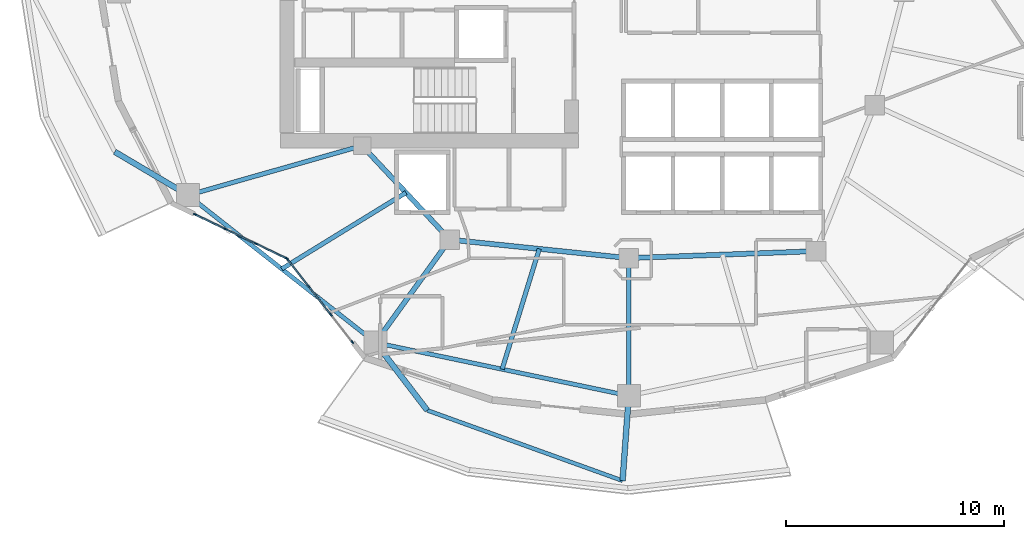
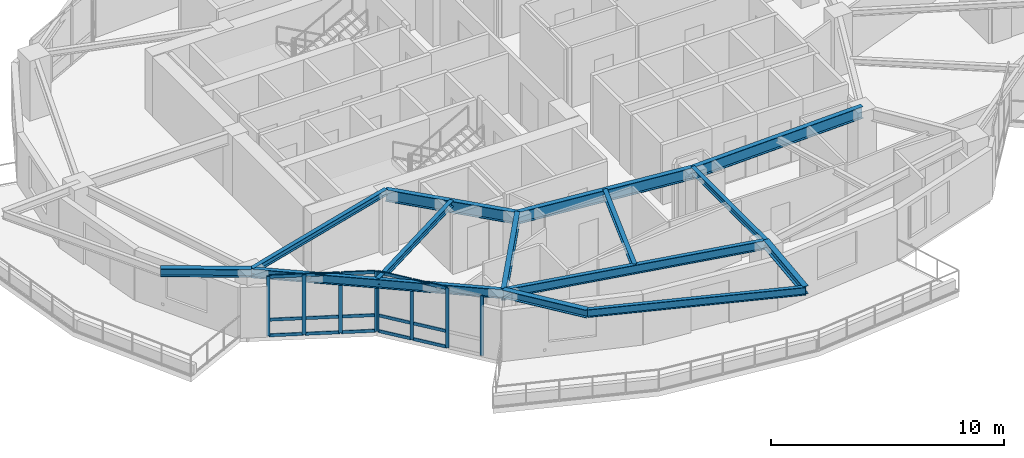
# One storey, part 2 of 18: 23 members, 14 beams, 2 elements without a shape of their own.
"""IFC4 building model written with IfcOpenShell, lengths in metres."""

from ifc_helpers import new_model, si_unit, direction, frame, origin, origin_2d, place, context, subcontext, project, spatial, rectangle, i_section, extrude, material, layer, layer_set, material_profile, profile_set, type_object, element, aggregate, save


model = new_model("IFC4")

# Units and contexts
model_context = context("Model", 3, precision=1e-05, world=origin(), true_north=direction((0.0, 1.0)))
body_context = subcontext(model_context, "Body", "Model", "MODEL_VIEW")
ifc_project = project(units=[si_unit("LENGTHUNIT", "METRE"), si_unit("AREAUNIT", "SQUARE_METRE"), si_unit("VOLUMEUNIT", "CUBIC_METRE"), si_unit("PLANEANGLEUNIT", "RADIAN"), si_unit("MASSUNIT", "GRAM", prefix="KILO")], contexts=[model_context])

# Site, building, storey
site_placement = place(None, origin())
site = spatial("IfcSite", under=ifc_project, at=site_placement, CompositionType="ELEMENT")
building_placement = place(site_placement, origin())
building = spatial("IfcBuilding", under=site, at=building_placement, Name="Kolvaren Gate Tower and Convention Centre", CompositionType="ELEMENT")
storey_placement = place(building_placement, frame((0.0, 0.0, 108.699951171875)))
storey = spatial("IfcBuildingStorey", under=building, at=storey_placement, Name="L26", CompositionType="ELEMENT", Elevation=108.699951171875)

# Curtain wall, members
ifc_material_1 = material(Name="Anodized Architectural Aluminium Alloy 6063-T6", Category="aluminium")
ifc_layer = layer(ifc_material_1, 0.159912109375)
ifc_layer_set = layer_set([ifc_layer], Name="Anodized Architectural Aluminium Alloy 6063-T6")
curtain_wall_type = type_object("IfcCurtainWallType", Name="CW-HTL-UNIT", PredefinedType="NOTDEFINED", material=ifc_layer_set)
curtain_wall_1_placement = place(storey_placement, origin())
curtain_wall_1 = element("IfcCurtainWall", 1, at=curtain_wall_1_placement, inside=storey, type_object=curtain_wall_type, Name="Tower L26 Unitised Curtain Wall CW-HTL-UNIT Bay 14", PredefinedType="NOTDEFINED")
ifc_material_profile_1 = material_profile(ifc_material_1, rectangle(XDim=0.06494140625, YDim=0.159912109375, at=origin_2d()), Name="CW-MEM-MUL-160")
ifc_profile_set_1 = profile_set([ifc_material_profile_1], Name="Anodized Architectural Aluminium Alloy 6063-T6")
member_type_1 = type_object("IfcMemberType", Name="CW-MEM-MUL-160", PredefinedType="MULLION", material=ifc_profile_set_1)
member_1_placement = place(storey_placement, frame((10.271728515625, 16.799560546875, 0.0), z_axis=(0.0, 0.0, 1.0), x_axis=(0.43307254033, 0.901359070966, 0.0)))
member_1 = element("IfcMember", 2, at=member_1_placement, type_object=member_type_1, Name="CW-03 mullion 1", PredefinedType="MULLION", context=body_context, shape_type="SweptSolid", body=[
    extrude(rectangle(XDim=0.06494140625, YDim=0.159912109375, at=origin_2d()), origin(), (0.0, 0.0, 1.0), 3.130126953125),
])
member_2_placement = place(storey_placement, frame((11.655517578125, 16.134765625, 0.0), z_axis=(0.0, 0.0, 1.0), x_axis=(0.43307254033, 0.901359070966, 0.0)))
member_2 = element("IfcMember", 3, at=member_2_placement, type_object=member_type_1, Name="CW-03 mullion 2", PredefinedType="MULLION", context=body_context, shape_type="SweptSolid", body=[
    extrude(rectangle(XDim=0.06494140625, YDim=0.159912109375, at=origin_2d()), origin(), (0.0, 0.0, 1.0), 3.130126953125),
])
member_3_placement = place(storey_placement, frame((13.068359375, 15.455810546875, 0.0), z_axis=(0.0, 0.0, 1.0), x_axis=(0.43307254033, 0.901359070966, 0.0)))
member_3 = element("IfcMember", 4, at=member_3_placement, type_object=member_type_1, Name="CW-03 mullion 3", PredefinedType="MULLION", context=body_context, shape_type="SweptSolid", body=[
    extrude(rectangle(XDim=0.06494140625, YDim=0.159912109375, at=origin_2d()), origin(), (0.0, 0.0, 1.0), 3.130126953125),
])
member_4_placement = place(storey_placement, frame((14.451904296875, 14.791015625, 0.0), z_axis=(0.0, 0.0, 1.0), x_axis=(0.43307254033, 0.901359070966, 0.0)))
member_4 = element("IfcMember", 5, at=member_4_placement, type_object=member_type_1, Name="CW-03 mullion 4", PredefinedType="MULLION", context=body_context, shape_type="SweptSolid", body=[
    extrude(rectangle(XDim=0.06494140625, YDim=0.159912109375, at=origin_2d()), origin(), (0.0, 0.0, 1.0), 3.130126953125),
])

curtain_wall_2_placement = place(storey_placement, origin())
curtain_wall_2 = element("IfcCurtainWall", 6, at=curtain_wall_2_placement, inside=storey, type_object=curtain_wall_type, Name="Tower L26 Unitised Curtain Wall CW-HTL-UNIT Bay 15", PredefinedType="NOTDEFINED")
member_5_placement = place(storey_placement, frame((14.501220703125, 14.75146484375, 0.0), z_axis=(0.0, 0.0, 1.0), x_axis=(0.787410781966, 0.616428633699, 0.0)))
member_5 = element("IfcMember", 7, at=member_5_placement, type_object=member_type_1, Name="CW-03 mullion 1", PredefinedType="MULLION", context=body_context, shape_type="SweptSolid", body=[
    extrude(rectangle(XDim=0.06494140625, YDim=0.159912109375, at=origin_2d()), origin(), (0.0, 0.0, 1.0), 3.130126953125),
])
member_6_placement = place(storey_placement, frame((15.484619140625, 13.495361328125, 0.0), z_axis=(0.0, 0.0, 1.0), x_axis=(0.787410781966, 0.616428633699, 0.0)))
member_6 = element("IfcMember", 8, at=member_6_placement, type_object=member_type_1, Name="CW-03 mullion 2", PredefinedType="MULLION", context=body_context, shape_type="SweptSolid", body=[
    extrude(rectangle(XDim=0.06494140625, YDim=0.159912109375, at=origin_2d()), origin(), (0.0, 0.0, 1.0), 3.130126953125),
])
member_7_placement = place(storey_placement, frame((16.488037109375, 12.213623046875, 0.0), z_axis=(0.0, 0.0, 1.0), x_axis=(0.787410781966, 0.616428633699, 0.0)))
member_7 = element("IfcMember", 9, at=member_7_placement, type_object=member_type_1, Name="CW-03 mullion 3", PredefinedType="MULLION", context=body_context, shape_type="SweptSolid", body=[
    extrude(rectangle(XDim=0.06494140625, YDim=0.159912109375, at=origin_2d()), origin(), (0.0, 0.0, 1.0), 3.130126953125),
])
member_8_placement = place(storey_placement, frame((17.47119140625, 10.957763671875, 0.0), z_axis=(0.0, 0.0, 1.0), x_axis=(0.787410781966, 0.616428633699, 0.0)))
member_8 = element("IfcMember", 10, at=member_8_placement, type_object=member_type_1, Name="CW-03 mullion 4", PredefinedType="MULLION", context=body_context, shape_type="SweptSolid", body=[
    extrude(rectangle(XDim=0.06494140625, YDim=0.159912109375, at=origin_2d()), origin(), (0.0, 0.0, 1.0), 3.130126953125),
])

# Member
ifc_material_profile_2 = material_profile(ifc_material_1, rectangle(XDim=0.06494140625, YDim=0.159912109375, at=origin_2d()), Name="CW-MEM-TRN-160")
ifc_profile_set_2 = profile_set([ifc_material_profile_2], Name="Anodized Architectural Aluminium Alloy 6063-T6")
member_type_2 = type_object("IfcMemberType", Name="CW-MEM-TRN-160", PredefinedType="USERDEFINED", material=ifc_profile_set_2)
member_9_placement = place(storey_placement, frame((10.301025390625, 16.785400390625, 0.032470703125), z_axis=(0.901421966244, -0.432941611274, 0.0), x_axis=(0.432941611274, 0.901421966244, 0.0)))
member_9 = element("IfcMember", 11, at=member_9_placement, type_object=member_type_2, Name="CW-03 transom 1.1", ObjectType="TRANSOM", PredefinedType="USERDEFINED", context=body_context, shape_type="SweptSolid", body=[
    extrude(rectangle(XDim=0.06494140625, YDim=0.159912109375, at=origin_2d()), origin(), (0.0, 0.0, 1.0), 1.47021484375),
])

member_10_placement = place(storey_placement, frame((10.301025390625, 16.785400390625, 0.85009765625), z_axis=(0.901421966244, -0.432941611274, 0.0), x_axis=(0.432941611274, 0.901421966244, 0.0)))
member_10 = element("IfcMember", 12, at=member_10_placement, type_object=member_type_2, Name="CW-03 transom 1.2", ObjectType="TRANSOM", PredefinedType="USERDEFINED", context=body_context, shape_type="SweptSolid", body=[
    extrude(rectangle(XDim=0.06494140625, YDim=0.159912109375, at=origin_2d()), origin(), (0.0, 0.0, 1.0), 1.47021484375),
])

member_11_placement = place(storey_placement, frame((10.301025390625, 16.785400390625, 3.09765625), z_axis=(0.901421966244, -0.432941611274, 0.0), x_axis=(0.432941611274, 0.901421966244, 0.0)))
member_11 = element("IfcMember", 13, at=member_11_placement, type_object=member_type_2, Name="CW-03 transom 1.3", ObjectType="TRANSOM", PredefinedType="USERDEFINED", context=body_context, shape_type="SweptSolid", body=[
    extrude(rectangle(XDim=0.06494140625, YDim=0.159912109375, at=origin_2d()), origin(), (0.0, 0.0, 1.0), 1.47021484375),
])

member_12_placement = place(storey_placement, frame((11.684814453125, 16.12060546875, 0.032470703125), z_axis=(0.901368321762, -0.43305328601, 0.0), x_axis=(0.43305328601, 0.901368321762, 0.0)))
member_12 = element("IfcMember", 14, at=member_12_placement, type_object=member_type_2, Name="CW-03 transom 2.1", ObjectType="TRANSOM", PredefinedType="USERDEFINED", context=body_context, shape_type="SweptSolid", body=[
    extrude(rectangle(XDim=0.06494140625, YDim=0.159912109375, at=origin_2d()), origin(), (0.0, 0.0, 1.0), 1.50244140625),
])

member_13_placement = place(storey_placement, frame((11.684814453125, 16.12060546875, 0.85009765625), z_axis=(0.901368321762, -0.43305328601, 0.0), x_axis=(0.43305328601, 0.901368321762, 0.0)))
member_13 = element("IfcMember", 15, at=member_13_placement, type_object=member_type_2, Name="CW-03 transom 2.2", ObjectType="TRANSOM", PredefinedType="USERDEFINED", context=body_context, shape_type="SweptSolid", body=[
    extrude(rectangle(XDim=0.06494140625, YDim=0.159912109375, at=origin_2d()), origin(), (0.0, 0.0, 1.0), 1.50244140625),
])

member_14_placement = place(storey_placement, frame((11.684814453125, 16.12060546875, 3.09765625), z_axis=(0.901368321762, -0.43305328601, 0.0), x_axis=(0.43305328601, 0.901368321762, 0.0)))
member_14 = element("IfcMember", 16, at=member_14_placement, type_object=member_type_2, Name="CW-03 transom 2.3", ObjectType="TRANSOM", PredefinedType="USERDEFINED", context=body_context, shape_type="SweptSolid", body=[
    extrude(rectangle(XDim=0.06494140625, YDim=0.159912109375, at=origin_2d()), origin(), (0.0, 0.0, 1.0), 1.50244140625),
])

member_15_placement = place(storey_placement, frame((13.09765625, 15.44189453125, 0.032470703125), z_axis=(0.901325998393, -0.43314136794, 0.0), x_axis=(0.43314136794, 0.901325998393, 0.0)))
member_15 = element("IfcMember", 17, at=member_15_placement, type_object=member_type_2, Name="CW-03 transom 3.1", ObjectType="TRANSOM", PredefinedType="USERDEFINED", context=body_context, shape_type="SweptSolid", body=[
    extrude(rectangle(XDim=0.06494140625, YDim=0.159912109375, at=origin_2d()), origin(), (0.0, 0.0, 1.0), 1.469970703125),
])

member_16_placement = place(storey_placement, frame((13.09765625, 15.44189453125, 0.85009765625), z_axis=(0.901325998393, -0.43314136794, 0.0), x_axis=(0.43314136794, 0.901325998393, 0.0)))
member_16 = element("IfcMember", 18, at=member_16_placement, type_object=member_type_2, Name="CW-03 transom 3.2", ObjectType="TRANSOM", PredefinedType="USERDEFINED", context=body_context, shape_type="SweptSolid", body=[
    extrude(rectangle(XDim=0.06494140625, YDim=0.159912109375, at=origin_2d()), origin(), (0.0, 0.0, 1.0), 1.469970703125),
])

member_17_placement = place(storey_placement, frame((13.09765625, 15.44189453125, 3.09765625), z_axis=(0.901325998393, -0.43314136794, 0.0), x_axis=(0.43314136794, 0.901325998393, 0.0)))
member_17 = element("IfcMember", 19, at=member_17_placement, type_object=member_type_2, Name="CW-03 transom 3.3", ObjectType="TRANSOM", PredefinedType="USERDEFINED", context=body_context, shape_type="SweptSolid", body=[
    extrude(rectangle(XDim=0.06494140625, YDim=0.159912109375, at=origin_2d()), origin(), (0.0, 0.0, 1.0), 1.469970703125),
])

aggregate(curtain_wall_1, [member_1, member_2, member_3, member_4, member_9, member_10, member_11, member_12, member_13, member_14, member_15, member_16, member_17])

member_18_placement = place(storey_placement, frame((14.521484375, 14.725830078125, 0.032470703125), z_axis=(0.61639000373, -0.78744102211, 0.0), x_axis=(0.78744102211, 0.61639000373, 0.0)))
member_18 = element("IfcMember", 20, at=member_18_placement, type_object=member_type_2, Name="CW-03 transom 1.1", ObjectType="TRANSOM", PredefinedType="USERDEFINED", context=body_context, shape_type="SweptSolid", body=[
    extrude(rectangle(XDim=0.06494140625, YDim=0.159912109375, at=origin_2d()), origin(), (0.0, 0.0, 1.0), 1.530029296875),
])

member_19_placement = place(storey_placement, frame((14.521484375, 14.725830078125, 0.85009765625), z_axis=(0.61639000373, -0.78744102211, 0.0), x_axis=(0.78744102211, 0.61639000373, 0.0)))
member_19 = element("IfcMember", 21, at=member_19_placement, type_object=member_type_2, Name="CW-03 transom 1.2", ObjectType="TRANSOM", PredefinedType="USERDEFINED", context=body_context, shape_type="SweptSolid", body=[
    extrude(rectangle(XDim=0.06494140625, YDim=0.159912109375, at=origin_2d()), origin(), (0.0, 0.0, 1.0), 1.530029296875),
])

member_20_placement = place(storey_placement, frame((14.521484375, 14.725830078125, 3.09765625), z_axis=(0.61639000373, -0.78744102211, 0.0), x_axis=(0.78744102211, 0.61639000373, 0.0)))
member_20 = element("IfcMember", 22, at=member_20_placement, type_object=member_type_2, Name="CW-03 transom 1.3", ObjectType="TRANSOM", PredefinedType="USERDEFINED", context=body_context, shape_type="SweptSolid", body=[
    extrude(rectangle(XDim=0.06494140625, YDim=0.159912109375, at=origin_2d()), origin(), (0.0, 0.0, 1.0), 1.530029296875),
])

member_21_placement = place(storey_placement, frame((15.504638671875, 13.4697265625, 0.032470703125), z_axis=(0.616468321189, -0.787379710794, 0.0), x_axis=(0.787379710794, 0.616468321189, 0.0)))
member_21 = element("IfcMember", 23, at=member_21_placement, type_object=member_type_2, Name="CW-03 transom 2.1", ObjectType="TRANSOM", PredefinedType="USERDEFINED", context=body_context, shape_type="SweptSolid", body=[
    extrude(rectangle(XDim=0.06494140625, YDim=0.159912109375, at=origin_2d()), origin(), (0.0, 0.0, 1.0), 1.562744140625),
])

member_22_placement = place(storey_placement, frame((15.504638671875, 13.4697265625, 0.85009765625), z_axis=(0.616468321189, -0.787379710794, 0.0), x_axis=(0.787379710794, 0.616468321189, 0.0)))
member_22 = element("IfcMember", 24, at=member_22_placement, type_object=member_type_2, Name="CW-03 transom 2.2", ObjectType="TRANSOM", PredefinedType="USERDEFINED", context=body_context, shape_type="SweptSolid", body=[
    extrude(rectangle(XDim=0.06494140625, YDim=0.159912109375, at=origin_2d()), origin(), (0.0, 0.0, 1.0), 1.562744140625),
])

member_23_placement = place(storey_placement, frame((15.504638671875, 13.4697265625, 3.09765625), z_axis=(0.616468321189, -0.787379710794, 0.0), x_axis=(0.787379710794, 0.616468321189, 0.0)))
member_23 = element("IfcMember", 25, at=member_23_placement, type_object=member_type_2, Name="CW-03 transom 2.3", ObjectType="TRANSOM", PredefinedType="USERDEFINED", context=body_context, shape_type="SweptSolid", body=[
    extrude(rectangle(XDim=0.06494140625, YDim=0.159912109375, at=origin_2d()), origin(), (0.0, 0.0, 1.0), 1.562744140625),
])

aggregate(curtain_wall_2, [member_5, member_6, member_7, member_8, member_18, member_19, member_20, member_21, member_22, member_23])

# Beams
ifc_material_2 = material(Name="Structural steel ASTM A992 Grade 345 MPa", Category="steel")
ifc_material_profile_3 = material_profile(ifc_material_2, i_section(OverallWidth=0.260009765625, OverallDepth=0.419921875, WebThickness=0.013427734375, FlangeThickness=0.0224609375, at=origin_2d()), Name="W410X132")
ifc_profile_set_3 = profile_set([ifc_material_profile_3], Name="Structural steel ASTM A992 Grade 345 MPa")
beam_type_1 = type_object("IfcBeamType", Name="STR-BM-W410X132", PredefinedType="BEAM", material=ifc_profile_set_3)
for number, where, z_axis, x_axis, name in (
    (26, (9.94970703125, 17.681396484375, 2.920654296875), (-0.860390154059, 0.509635931621, 0.0), (-0.509635931621, -0.860390154059, 0.0), "Tower L27 Planted Balcony Outrigger Cantilever BC-2B"),
    (27, (18.528564453125, 10.931640625, 2.920654296875), (0.607684772981, -0.794178328014, 0.0), (0.794178328014, 0.607684772981, 0.0), "Tower L27 Planted Balcony Outrigger Cantilever BC-3A"),
    (28, (30.125, 8.5, 2.920654296875), (-0.072866291763, -0.997341718532, 0.0), (0.997341718532, -0.072866291763, 0.0), "Tower L27 Planted Balcony Outrigger Cantilever BC-3B"),
):
    element("IfcBeam", number, at=place(storey_placement, frame(where, z_axis=z_axis, x_axis=x_axis)), inside=storey, type_object=beam_type_1, Name=name, PredefinedType="BEAM", context=body_context, shape_type="SweptSolid", body=[
        extrude(i_section(OverallWidth=0.260009765625, OverallDepth=0.419921875, WebThickness=0.013427734375, FlangeThickness=0.0224609375, at=origin_2d()), origin(), (0.0, 0.0, 1.0), 3.89990234375),
    ])
ifc_material_profile_4 = material_profile(ifc_material_2, i_section(OverallWidth=0.22998046875, OverallDepth=0.616943359375, WebThickness=0.01318359375, FlangeThickness=0.022216796875, at=origin_2d()), Name="W610X140")
ifc_profile_set_4 = profile_set([ifc_material_profile_4], Name="Structural steel ASTM A992 Grade 345 MPa")
beam_type_2 = type_object("IfcBeamType", Name="STR-BM-W610X140", PredefinedType="BEAM", material=ifc_profile_set_4)
beam_1_placement = place(storey_placement, frame((17.9140625, 19.949951171875, 2.821533203125), z_axis=(0.682557592987, -0.730831808459, 0.0), x_axis=(0.730831808459, 0.682557592987, 0.0)))
element("IfcBeam", 29, at=beam_1_placement, inside=storey, type_object=beam_type_2, Name="Tower L26 Primary Ring Girder G-06", PredefinedType="BEAM", context=body_context, shape_type="SweptSolid", body=[
    extrude(i_section(OverallWidth=0.22998046875, OverallDepth=0.616943359375, WebThickness=0.01318359375, FlangeThickness=0.022216796875, at=origin_2d()), origin(), (0.0, 0.0, 1.0), 5.88671875),
])
beam_2_placement = place(storey_placement, frame((21.93212890625, 15.647705078125, 2.821533203125), z_axis=(0.994690329115, -0.102913308978, 0.0), x_axis=(0.102913308978, 0.994690329115, 0.0)))
element("IfcBeam", 30, at=beam_2_placement, inside=storey, type_object=beam_type_2, Name="Tower L26 Primary Ring Girder G-07", PredefinedType="BEAM", context=body_context, shape_type="SweptSolid", body=[
    extrude(i_section(OverallWidth=0.22998046875, OverallDepth=0.616943359375, WebThickness=0.01318359375, FlangeThickness=0.022216796875, at=origin_2d()), origin(), (0.0, 0.0, 1.0), 8.236572265625),
])
beam_3_placement = place(storey_placement, frame((30.125, 14.800048828125, 2.821533203125), z_axis=(0.999301712453, 0.037364254142, 0.0), x_axis=(-0.037364254142, 0.999301712453, 0.0)))
element("IfcBeam", 31, at=beam_3_placement, inside=storey, type_object=beam_type_2, Name="Tower L26 Primary Ring Girder G-08", PredefinedType="BEAM", context=body_context, shape_type="SweptSolid", body=[
    extrude(i_section(OverallWidth=0.22998046875, OverallDepth=0.616943359375, WebThickness=0.01318359375, FlangeThickness=0.022216796875, at=origin_2d()), origin(), (0.0, 0.0, 1.0), 8.579345703125),
])
beam_4_placement = place(storey_placement, frame((21.93212890625, 15.647705078125, 2.821533203125), z_axis=(-0.585210043569, -0.810881745328, 0.0), x_axis=(0.810881745328, -0.585210043569, 0.0)))
element("IfcBeam", 32, at=beam_4_placement, inside=storey, type_object=beam_type_2, Name="Tower L26 Radial Floor Girder RB-09", PredefinedType="BEAM", context=body_context, shape_type="SweptSolid", body=[
    extrude(i_section(OverallWidth=0.22998046875, OverallDepth=0.616943359375, WebThickness=0.01318359375, FlangeThickness=0.022216796875, at=origin_2d()), origin(), (0.0, 0.0, 1.0), 5.81591796875),
])
ifc_material_profile_5 = material_profile(ifc_material_2, i_section(OverallWidth=0.205078125, OverallDepth=0.31005859375, WebThickness=0.009521484375, FlangeThickness=0.016357421875, at=origin_2d()), Name="W310X74")
ifc_profile_set_5 = profile_set([ifc_material_profile_5], Name="Structural steel ASTM A992 Grade 345 MPa")
beam_type_3 = type_object("IfcBeamType", Name="STR-JS-W310X74", PredefinedType="JOIST", material=ifc_profile_set_5)
beam_5_placement = place(storey_placement, frame((17.9140625, 19.949951171875, 2.97509765625), z_axis=(-0.961746134311, -0.27394228067, 0.0), x_axis=(0.27394228067, -0.961746134311, 0.0)))
element("IfcBeam", 33, at=beam_5_placement, inside=storey, type_object=beam_type_3, Name="Tower L26 Radial Floor Girder RB-08", PredefinedType="JOIST", context=body_context, shape_type="SweptSolid", body=[
    extrude(i_section(OverallWidth=0.205078125, OverallDepth=0.31005859375, WebThickness=0.009521484375, FlangeThickness=0.016357421875, at=origin_2d()), origin(), (0.0, 0.0, 1.0), 8.28125),
])
beam_6_placement = place(storey_placement, frame((30.125, 14.800048828125, 2.97509765625), z_axis=(0.0, -1.0, 0.0), x_axis=(1.0, 0.0, 0.0)))
element("IfcBeam", 34, at=beam_6_placement, inside=storey, type_object=beam_type_3, Name="Tower L26 Radial Floor Girder RB-10", PredefinedType="JOIST", context=body_context, shape_type="SweptSolid", body=[
    extrude(i_section(OverallWidth=0.205078125, OverallDepth=0.31005859375, WebThickness=0.009521484375, FlangeThickness=0.016357421875, at=origin_2d()), origin(), (0.0, 0.0, 1.0), 6.300048828125),
])
beam_7_placement = place(storey_placement, frame((19.923095703125, 17.798828125, 2.97509765625), z_axis=(-0.852013723702, -0.523519450091, 0.0), x_axis=(0.523519450091, -0.852013723702, 0.0)))
element("IfcBeam", 35, at=beam_7_placement, inside=storey, type_object=beam_type_3, Name="Tower L26 Secondary Composite Floor Joist J-08.1", PredefinedType="JOIST", context=body_context, shape_type="SweptSolid", body=[
    extrude(i_section(OverallWidth=0.205078125, OverallDepth=0.31005859375, WebThickness=0.009521484375, FlangeThickness=0.016357421875, at=origin_2d()), origin(), (0.0, 0.0, 1.0), 6.671142578125),
])
beam_8_placement = place(storey_placement, frame((26.028564453125, 15.223876953125, 2.97509765625), z_axis=(-0.295174836894, -0.95544325612, 0.0), x_axis=(0.95544325612, -0.295174836894, 0.0)))
element("IfcBeam", 36, at=beam_8_placement, inside=storey, type_object=beam_type_3, Name="Tower L26 Secondary Composite Floor Joist J-09.1", PredefinedType="JOIST", context=body_context, shape_type="SweptSolid", body=[
    extrude(i_section(OverallWidth=0.205078125, OverallDepth=0.31005859375, WebThickness=0.009521484375, FlangeThickness=0.016357421875, at=origin_2d()), origin(), (0.0, 0.0, 1.0), 5.764892578125),
])
ifc_material_profile_6 = material_profile(ifc_material_2, i_section(OverallWidth=0.180908203125, OverallDepth=0.4169921875, WebThickness=0.010986328125, FlangeThickness=0.018310546875, at=origin_2d()), Name="W410X85")
ifc_profile_set_6 = profile_set([ifc_material_profile_6], Name="Structural steel ASTM A992 Grade 345 MPa")
beam_type_4 = type_object("IfcBeamType", Name="STR-SP-W410X85", PredefinedType="SPANDREL", material=ifc_profile_set_6)
beam_9_placement = place(storey_placement, frame((20.8984375, 7.83447265625, 2.922119140625), z_axis=(0.940724254556, -0.339172340987, 0.0), x_axis=(0.339172340987, 0.940724254556, 0.0)))
element("IfcBeam", 37, at=beam_9_placement, inside=storey, type_object=beam_type_4, Name="Tower L27 Planted Balcony Header Tie Beam BT-3", PredefinedType="SPANDREL", context=body_context, shape_type="SweptSolid", body=[
    extrude(i_section(OverallWidth=0.180908203125, OverallDepth=0.4169921875, WebThickness=0.010986328125, FlangeThickness=0.018310546875, at=origin_2d()), origin(), (0.0, 0.0, 1.0), 9.505859375),
])
ifc_material_profile_7 = material_profile(ifc_material_2, i_section(OverallWidth=0.194091796875, OverallDepth=0.468994140625, WebThickness=0.0126953125, FlangeThickness=0.0205078125, at=origin_2d()), Name="W460X106")
ifc_profile_set_7 = profile_set([ifc_material_profile_7], Name="Structural steel ASTM A992 Grade 345 MPa")
beam_type_5 = type_object("IfcBeamType", Name="STR-SP-W460X106", PredefinedType="SPANDREL", material=ifc_profile_set_7)
beam_10_placement = place(storey_placement, frame((9.94970703125, 17.681396484375, 2.8955078125), z_axis=(0.785907610354, -0.618343939881, 0.0), x_axis=(0.618343939881, 0.785907610354, 0.0)))
element("IfcBeam", 38, at=beam_10_placement, inside=storey, type_object=beam_type_5, Name="Tower L26 Perimeter Spandrel Beam SP-08", PredefinedType="SPANDREL", context=body_context, shape_type="SweptSolid", body=[
    extrude(i_section(OverallWidth=0.194091796875, OverallDepth=0.468994140625, WebThickness=0.0126953125, FlangeThickness=0.0205078125, at=origin_2d()), origin(), (0.0, 0.0, 1.0), 10.915771484375),
])
beam_11_placement = place(storey_placement, frame((18.528564453125, 10.931640625, 2.8955078125), z_axis=(0.978714746947, -0.205225349578, 0.0), x_axis=(0.205225349578, 0.978714746947, 0.0)))
element("IfcBeam", 39, at=beam_11_placement, inside=storey, type_object=beam_type_5, Name="Tower L26 Perimeter Spandrel Beam SP-09", PredefinedType="SPANDREL", context=body_context, shape_type="SweptSolid", body=[
    extrude(i_section(OverallWidth=0.194091796875, OverallDepth=0.468994140625, WebThickness=0.0126953125, FlangeThickness=0.0205078125, at=origin_2d()), origin(), (0.0, 0.0, 1.0), 11.8486328125),
])

save(model, "model.ifc")
